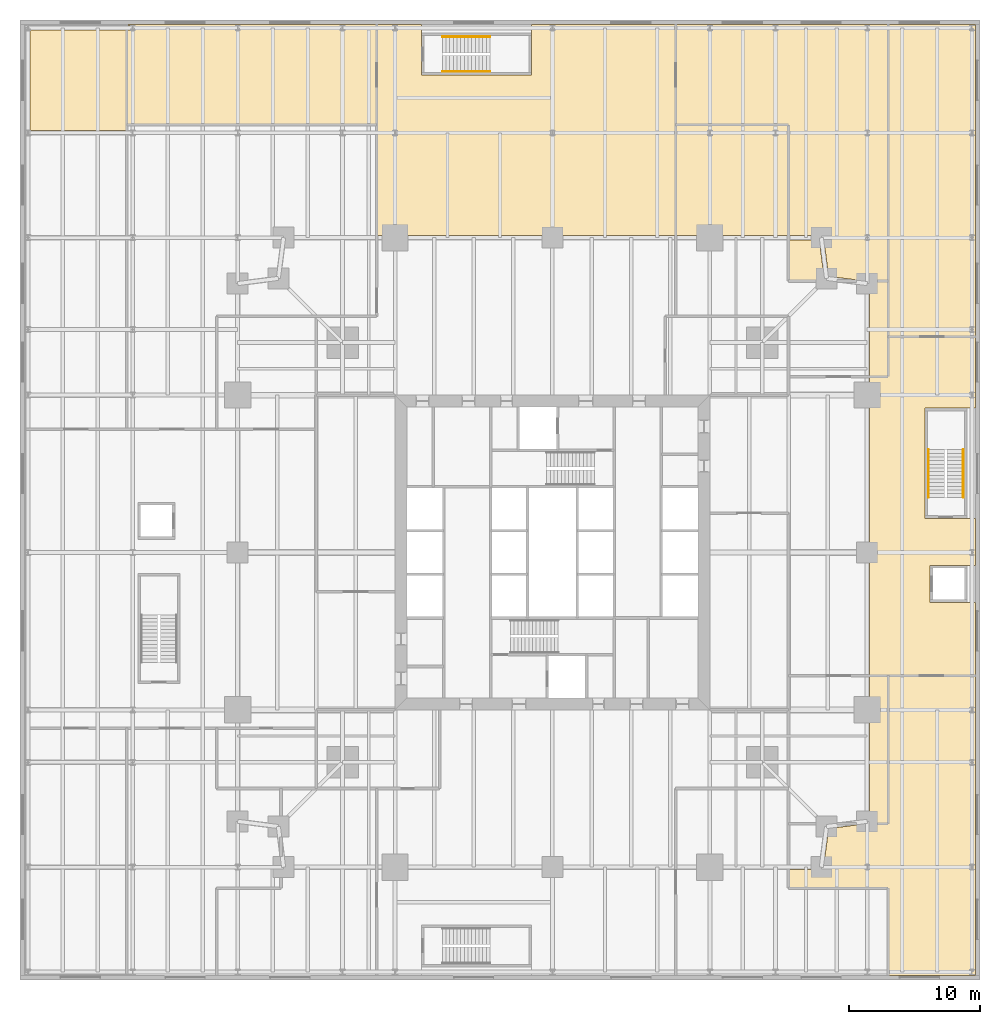
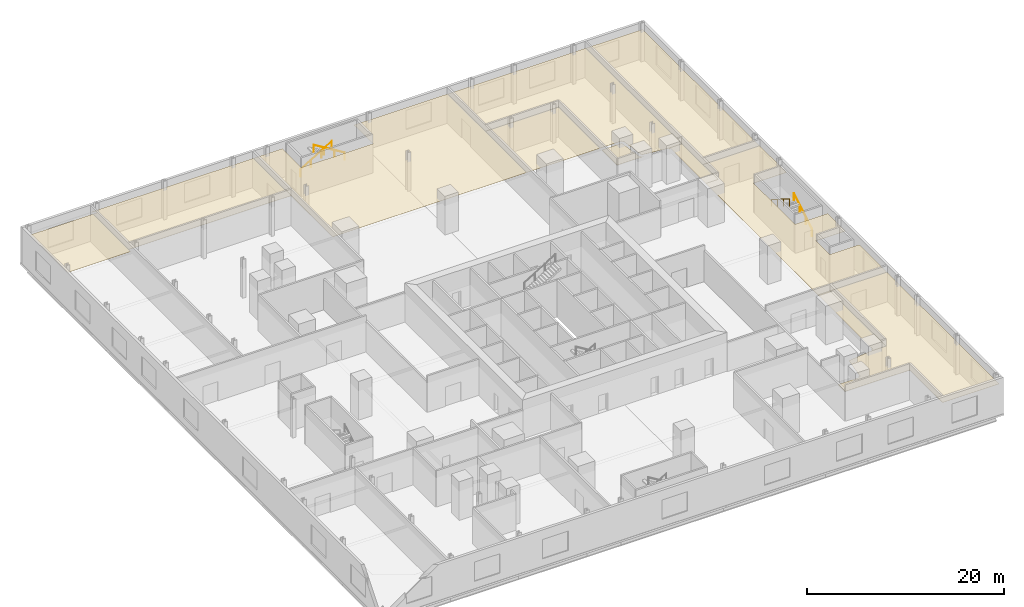
# One storey, part 16 of 16: 11 coverings, 4 railings.
"""IFC4 building model written with IfcOpenShell, lengths in metres."""

from ifc_helpers import new_model, si_unit, direction, frame, origin, origin_2d, place, context, subcontext, project, spatial, polyline, circle, outline, extrude, material, layer, layer_set, type_object, element, save


model = new_model("IFC4")

# Units and contexts
model_context = context("Model", 3, precision=1e-05, world=origin(), true_north=direction((0.0, 1.0)))
body_context = subcontext(model_context, "Body", "Model", "MODEL_VIEW")
ifc_project = project(units=[si_unit("LENGTHUNIT", "METRE"), si_unit("AREAUNIT", "SQUARE_METRE"), si_unit("VOLUMEUNIT", "CUBIC_METRE"), si_unit("PLANEANGLEUNIT", "RADIAN"), si_unit("MASSUNIT", "GRAM", prefix="KILO")], contexts=[model_context])

# Site, building, storey
site_placement = place(None, origin())
site = spatial("IfcSite", under=ifc_project, at=site_placement, CompositionType="ELEMENT")
building_placement = place(site_placement, origin())
building = spatial("IfcBuilding", under=site, at=building_placement, Name="Fenwick Lantern Interchange", CompositionType="ELEMENT")
storey_placement = place(building_placement, frame((0.0, 0.0, 16.60009765625)))
storey = spatial("IfcBuildingStorey", under=building, at=storey_placement, Name="L03", CompositionType="ELEMENT", Elevation=16.60009765625)

# Coverings
ifc_material_1 = material(Name="Mineral fibre acoustic tile on suspended grid")
ifc_layer = layer(ifc_material_1, 0.02001953125)
ifc_layer_set = layer_set([ifc_layer], Name="ACOUSTIC TILE CEILING 20")
covering_type = type_object("IfcCoveringType", Name="ACOUSTIC TILE CEILING 20", PredefinedType="CEILING", material=ifc_layer_set)
covering_1_placement = place(storey_placement, frame((0.0, 0.0, 3.599853515625)))
element("IfcCovering", 1, at=covering_1_placement, inside=storey, type_object=covering_type, Name="Retail arcade north ceiling", PredefinedType="CEILING", context=body_context, shape_type="SweptSolid", body=[
    extrude(outline(polyline([(34.39990234375, 57.60009765625), (34.39990234375, 65.25), (23.39990234375, 65.25), (23.39990234375, 64.60009765625), (23.39990234375, 61.39990234375), (15.0, 61.39990234375), (15.0, 64.60009765625), (15.0, 65.25), (11.60009765625, 65.25), (11.60009765625, 57.60009765625), (11.60009765625, 49.175048828125), (13.0, 49.175048828125), (25.0, 49.175048828125), (34.39990234375, 49.175048828125), (34.39990234375, 57.60009765625)])), origin(), (0.0, 0.0, 1.0), 0.02001953125),
])
covering_2_placement = place(storey_placement, frame((0.0, 0.0, 3.599853515625)))
element("IfcCovering", 2, at=covering_2_placement, inside=storey, type_object=covering_type, Name="Retail arcade east ceiling", PredefinedType="CEILING", context=body_context, shape_type="SweptSolid", body=[
    extrude(outline(polyline([(50.60009765625, 15.60009765625), (57.25, 15.60009765625), (57.25, 21.199951171875), (56.60009765625, 21.199951171875), (53.800048828125, 21.199951171875), (53.800048828125, 24.0), (56.60009765625, 24.0), (57.25, 24.0), (57.25, 27.60009765625), (56.60009765625, 27.60009765625), (53.39990234375, 27.60009765625), (53.39990234375, 36.0), (56.60009765625, 36.0), (57.25, 36.0), (57.25, 41.449951171875), (50.60009765625, 41.449951171875), (50.60009765625, 38.39990234375), (49.175048828125, 38.39990234375), (49.175048828125, 37.0), (49.175048828125, 25.0), (49.175048828125, 15.60009765625), (50.60009765625, 15.60009765625)])), origin(), (0.0, 0.0, 1.0), 0.02001953125),
])
covering_3_placement = place(storey_placement, frame((0.0, 0.0, 3.599853515625)))
element("IfcCovering", 3, at=covering_3_placement, inside=storey, type_object=covering_type, Name="Retail unit 03-6 ceiling", PredefinedType="CEILING", context=body_context, shape_type="SweptSolid", body=[
    extrude(outline(polyline([(43.0, -0.60009765625), (50.60009765625, -0.60009765625), (50.60009765625, -7.25), (57.25, -7.25), (57.25, 15.60009765625), (50.60009765625, 15.60009765625), (50.60009765625, 4.300048828125), (48.817138671875, 4.300048828125), (46.05615234375, 3.94384765625), (45.673583984375, 0.9775390625), (45.5, 1.0), (45.5, 0.824951171875), (43.0, 0.824951171875), (43.0, -0.60009765625)])), origin(), (0.0, 0.0, 1.0), 0.02001953125),
])
covering_4_placement = place(storey_placement, frame((0.0, 0.0, 3.599853515625)))
element("IfcCovering", 4, at=covering_4_placement, inside=storey, type_object=covering_type, Name="Retail unit 03-7 ceiling", PredefinedType="CEILING", context=body_context, shape_type="SweptSolid", body=[
    extrude(outline(polyline([(50.60009765625, 15.60009765625), (49.175048828125, 15.60009765625), (49.175048828125, 13.0), (49.175048828125, 4.5), (49.0, 4.5), (49.0224609375, 4.326416015625), (48.817138671875, 4.300048828125), (50.60009765625, 4.300048828125), (50.60009765625, 15.60009765625)])), origin(), (0.0, 0.0, 1.0), 0.02001953125),
])
covering_5_placement = place(storey_placement, frame((0.0, 0.0, 3.599853515625)))
element("IfcCovering", 5, at=covering_5_placement, inside=storey, type_object=covering_type, Name="Retail unit 03-8 ceiling", PredefinedType="CEILING", context=body_context, shape_type="SweptSolid", body=[
    extrude(outline(polyline([(34.39990234375, 57.60009765625), (34.39990234375, 49.175048828125), (37.0, 49.175048828125), (43.0, 49.175048828125), (43.0, 57.60009765625), (34.39990234375, 57.60009765625)])), origin(), (0.0, 0.0, 1.0), 0.02001953125),
])
covering_6_placement = place(storey_placement, frame((0.0, 0.0, 3.599853515625)))
element("IfcCovering", 6, at=covering_6_placement, inside=storey, type_object=covering_type, Name="Retail unit 03-8 ceiling", PredefinedType="CEILING", context=body_context, shape_type="SweptSolid", body=[
    extrude(outline(polyline([(49.175048828125, 38.39990234375), (50.60009765625, 38.39990234375), (50.60009765625, 45.699951171875), (48.817138671875, 45.699951171875), (49.0224609375, 45.673583984375), (49.0, 45.5), (49.175048828125, 45.5), (49.175048828125, 38.39990234375)])), origin(), (0.0, 0.0, 1.0), 0.02001953125),
])
covering_7_placement = place(storey_placement, frame((0.0, 0.0, 3.599853515625)))
element("IfcCovering", 7, at=covering_7_placement, inside=storey, type_object=covering_type, Name="Retail unit 03-9 ceiling", PredefinedType="CEILING", context=body_context, shape_type="SweptSolid", body=[
    extrude(outline(polyline([(57.25, 65.25), (50.60009765625, 65.25), (50.60009765625, 41.449951171875), (57.25, 41.449951171875), (57.25, 65.25)])), origin(), (0.0, 0.0, 1.0), 0.02001953125),
])
covering_8_placement = place(storey_placement, frame((0.0, 0.0, 3.599853515625)))
element("IfcCovering", 8, at=covering_8_placement, inside=storey, type_object=covering_type, Name="Retail unit 03-10 ceiling", PredefinedType="CEILING", context=body_context, shape_type="SweptSolid", body=[
    extrude(outline(polyline([(43.0, 57.60009765625), (43.0, 49.175048828125), (45.5, 49.175048828125), (45.5, 49.0), (45.673583984375, 49.0224609375), (46.05615234375, 46.05615234375), (48.817138671875, 45.699951171875), (50.60009765625, 45.699951171875), (50.60009765625, 65.25), (34.39990234375, 65.25), (34.39990234375, 57.60009765625), (43.0, 57.60009765625)])), origin(), (0.0, 0.0, 1.0), 0.02001953125),
])
covering_9_placement = place(storey_placement, frame((0.0, 0.0, 3.599853515625)))
element("IfcCovering", 9, at=covering_9_placement, inside=storey, type_object=covering_type, Name="Retail unit 03-10 ceiling", PredefinedType="CEILING", context=body_context, shape_type="SweptSolid", body=[
    extrude(outline(polyline([(43.0, 48.824951171875), (43.0, 45.699951171875), (46.0830078125, 45.699951171875), (45.877685546875, 45.7265625), (45.89990234375, 45.89990234375), (45.7265625, 45.877685546875), (45.34619140625, 48.824951171875), (43.0, 48.824951171875)])), origin(), (0.0, 0.0, 1.0), 0.02001953125),
])
covering_10_placement = place(storey_placement, frame((0.0, 0.0, 3.599853515625)))
element("IfcCovering", 10, at=covering_10_placement, inside=storey, type_object=covering_type, Name="Retail unit 03-13 ceiling", PredefinedType="CEILING", context=body_context, shape_type="SweptSolid", body=[
    extrude(outline(polyline([(-7.449951171875, 57.166015625), (-7.449951171875, 64.833984375), (-14.833984375, 64.833984375), (-14.833984375, 57.166015625), (-7.449951171875, 57.166015625)])), origin(), (0.0, 0.0, 1.0), 0.02001953125),
])
covering_11_placement = place(storey_placement, frame((0.0, 0.0, 3.599853515625)))
element("IfcCovering", 11, at=covering_11_placement, inside=storey, type_object=covering_type, Name="Retail unit 03-14 ceiling", PredefinedType="CEILING", context=body_context, shape_type="SweptSolid", body=[
    extrude(outline(polyline([(-7.449951171875, 57.60009765625), (11.60009765625, 57.60009765625), (11.60009765625, 65.25), (-7.449951171875, 65.25), (-7.449951171875, 65.166015625), (-7.0, 65.166015625), (-7.0, 64.833984375), (-7.449951171875, 64.833984375), (-7.449951171875, 57.60009765625)])), origin(), (0.0, 0.0, 1.0), 0.02001953125),
])

# Railings
ifc_material_2 = material(Name="Stainless steel handrail", Category="steel")
railing_type = type_object("IfcRailingType", Name="HANDRAIL 900", PredefinedType="HANDRAIL", material=ifc_material_2)
railing_1_placement = place(storey_placement, frame((16.60009765625, 64.325927734375, 0.17138671875)))
element("IfcRailing", 12, at=railing_1_placement, inside=storey, type_object=railing_type, Name="L03/STAIR/PS1/HR1", PredefinedType="HANDRAIL", context=body_context, shape_type="SweptSolid", body=[
    extrude(circle(Radius=0.02392578125, at=origin_2d()), frame((0.0, 0.0, 0.8759765625), z_axis=(0.852850264322, 0.0, 0.5221555579), x_axis=(0.0, 1.0, 0.0)), (0.0, 0.0, 1.0), 4.267822265625),
    extrude(circle(Radius=0.02099609375, at=origin_2d()), origin(), (0.0, 0.0, 1.0), 0.851806640625),
    extrude(circle(Radius=0.02099609375, at=origin_2d()), frame((1.21337890625, 0.0, 0.742919921875)), (0.0, 0.0, 1.0), 0.851806640625),
    extrude(circle(Radius=0.02099609375, at=origin_2d()), frame((2.426513671875, 0.0, 1.485595703125)), (0.0, 0.0, 1.0), 0.851806640625),
    extrude(circle(Radius=0.02099609375, at=origin_2d()), frame((3.639892578125, 0.0, 2.228515625)), (0.0, 0.0, 1.0), 0.851806640625),
])
railing_2_placement = place(storey_placement, frame((20.239990234375, 61.674072265625, 2.5712890625)))
element("IfcRailing", 13, at=railing_2_placement, inside=storey, type_object=railing_type, Name="L03/STAIR/PS1/HR2", PredefinedType="HANDRAIL", context=body_context, shape_type="SweptSolid", body=[
    extrude(circle(Radius=0.02392578125, at=origin_2d()), frame((0.0, 0.0, 0.8759765625), z_axis=(-0.852850264322, 0.0, 0.5221555579), x_axis=(0.0, -1.0, 0.0)), (0.0, 0.0, 1.0), 4.267822265625),
    extrude(circle(Radius=0.02099609375, at=origin_2d()), origin(), (0.0, 0.0, 1.0), 0.851806640625),
    extrude(circle(Radius=0.02099609375, at=origin_2d()), frame((-1.21337890625, 0.0, 0.742919921875)), (0.0, 0.0, 1.0), 0.851806640625),
    extrude(circle(Radius=0.02099609375, at=origin_2d()), frame((-2.426513671875, 0.0, 1.485595703125)), (0.0, 0.0, 1.0), 0.851806640625),
    extrude(circle(Radius=0.02099609375, at=origin_2d()), frame((-3.639892578125, 0.0, 2.228515625)), (0.0, 0.0, 1.0), 0.851806640625),
])
railing_3_placement = place(storey_placement, frame((56.325927734375, 29.199951171875, 0.17138671875)))
element("IfcRailing", 14, at=railing_3_placement, inside=storey, type_object=railing_type, Name="L03/STAIR/PS4/HR1", PredefinedType="HANDRAIL", context=body_context, shape_type="SweptSolid", body=[
    extrude(circle(Radius=0.02392578125, at=origin_2d()), frame((0.0, 0.0, 0.8759765625), z_axis=(0.0, 0.852865859571, 0.52213008492), x_axis=(-1.0, 0.0, 0.0)), (0.0, 0.0, 1.0), 4.26806640625),
    extrude(circle(Radius=0.02099609375, at=origin_2d()), origin(), (0.0, 0.0, 1.0), 0.851806640625),
    extrude(circle(Radius=0.02099609375, at=origin_2d()), frame((0.0, 1.21337890625, 0.742919921875)), (0.0, 0.0, 1.0), 0.851806640625),
    extrude(circle(Radius=0.02099609375, at=origin_2d()), frame((0.0, 2.4267578125, 1.485595703125)), (0.0, 0.0, 1.0), 0.851806640625),
    extrude(circle(Radius=0.02099609375, at=origin_2d()), frame((0.0, 3.64013671875, 2.228515625)), (0.0, 0.0, 1.0), 0.851806640625),
])
railing_4_placement = place(storey_placement, frame((53.674072265625, 32.840087890625, 2.5712890625)))
element("IfcRailing", 15, at=railing_4_placement, inside=storey, type_object=railing_type, Name="L03/STAIR/PS4/HR2", PredefinedType="HANDRAIL", context=body_context, shape_type="SweptSolid", body=[
    extrude(circle(Radius=0.02392578125, at=origin_2d()), frame((0.0, 0.0, 0.8759765625), z_axis=(0.0, -0.852865859571, 0.52213008492), x_axis=(1.0, 0.0, 0.0)), (0.0, 0.0, 1.0), 4.26806640625),
    extrude(circle(Radius=0.02099609375, at=origin_2d()), origin(), (0.0, 0.0, 1.0), 0.851806640625),
    extrude(circle(Radius=0.02099609375, at=origin_2d()), frame((0.0, -1.21337890625, 0.742919921875)), (0.0, 0.0, 1.0), 0.851806640625),
    extrude(circle(Radius=0.02099609375, at=origin_2d()), frame((0.0, -2.4267578125, 1.485595703125)), (0.0, 0.0, 1.0), 0.851806640625),
    extrude(circle(Radius=0.02099609375, at=origin_2d()), frame((0.0, -3.64013671875, 2.228515625)), (0.0, 0.0, 1.0), 0.851806640625),
])

save(model, "model.ifc")
